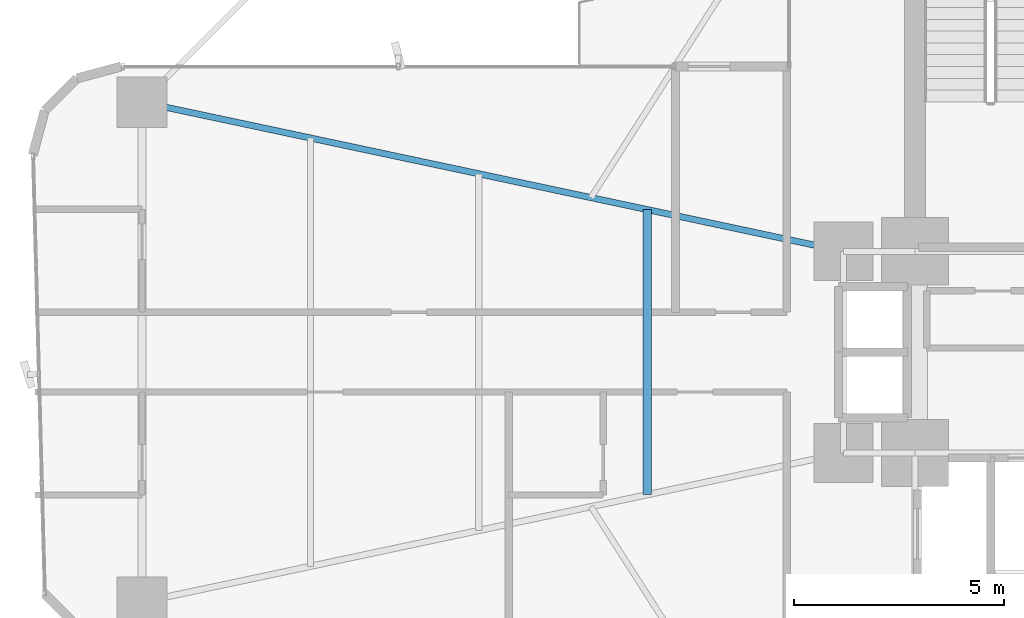
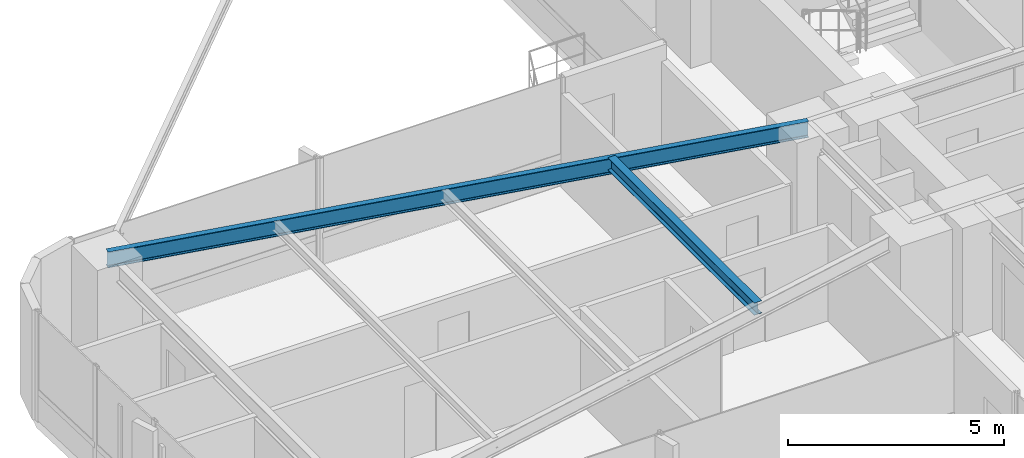
# One storey, part 9 of 25: 2 beams.
"""IFC4 building model written with IfcOpenShell, lengths in metres."""

from ifc_helpers import new_model, si_unit, direction, frame, origin, origin_2d, place, context, subcontext, project, spatial, i_section, extrude, source, transform, mapped, material, material_profile, profile_set, type_object, element, save


model = new_model("IFC4")

# Units and contexts
model_context = context("Model", 3, precision=1e-05, world=origin(), true_north=direction((0.0, 1.0)))
body_context = subcontext(model_context, "Body", "Model", "MODEL_VIEW")
ifc_project = project(units=[si_unit("LENGTHUNIT", "METRE"), si_unit("AREAUNIT", "SQUARE_METRE"), si_unit("VOLUMEUNIT", "CUBIC_METRE"), si_unit("PLANEANGLEUNIT", "RADIAN"), si_unit("MASSUNIT", "GRAM", prefix="KILO")], contexts=[model_context])

# Site, building, storey
site_placement = place(None, origin())
site = spatial("IfcSite", under=ifc_project, at=site_placement, CompositionType="ELEMENT")
building_placement = place(site_placement, origin())
building = spatial("IfcBuilding", under=site, at=building_placement, Name="Sahyath Konkavel Grand Hotel", CompositionType="ELEMENT")
storey_placement = place(building_placement, frame((0.0, 0.0, 54.39990234375)))
storey = spatial("IfcBuildingStorey", under=building, at=storey_placement, Name="L14", CompositionType="ELEMENT", Elevation=54.39990234375)

# Beams
ifc_material = material(Name="Steel E350", Category="steel")
ifc_material_profile_1 = material_profile(ifc_material, i_section(OverallWidth=0.14990234375, OverallDepth=0.449951171875, WebThickness=0.009521484375, FlangeThickness=0.017333984375, FilletRadius=0.014892578125, at=origin_2d()), Name="ISMB 450")
ifc_profile_set_1 = profile_set([ifc_material_profile_1], Name="Steel E350")
beam_type_1 = type_object("IfcBeamType", Name="BM-ISMB450", PredefinedType="BEAM", material=ifc_profile_set_1)
shared_shape_1 = source(origin(), body_context, "Body", "SweptSolid", [
    extrude(i_section(OverallWidth=0.14990234375, OverallDepth=0.449951171875, WebThickness=0.009521484375, FlangeThickness=0.017333984375, FilletRadius=0.014892578125, at=origin_2d()), origin(), (0.0, 0.0, 1.0), 17.072998046875),
])
beam_1_placement = place(storey_placement, frame((-5.5, 2.39990234375, 2.885009765625), z_axis=(-0.978143257225, 0.20793212437, 0.0), x_axis=(-0.20793212437, -0.978143257225, 0.0)))
element("IfcBeam", 1, at=beam_1_placement, inside=storey, type_object=beam_type_1, Name="L14 Cruciform Radial Girder WA", PredefinedType="BEAM", context=body_context, shape_type="MappedRepresentation", body=[
    mapped(shared_shape_1, transform((0.0, 0.0, 0.0), scale=1.0)),
])
ifc_material_profile_2 = material_profile(ifc_material, i_section(OverallWidth=0.199951171875, OverallDepth=0.35009765625, WebThickness=0.008056640625, FlangeThickness=0.011474609375, FilletRadius=0.013916015625, at=origin_2d()), Name="ISWB 350")
ifc_profile_set_2 = profile_set([ifc_material_profile_2], Name="Steel E350")
beam_type_2 = type_object("IfcBeamType", Name="BM-ISWB350", PredefinedType="BEAM", material=ifc_profile_set_2)
shared_shape_2 = source(origin(), body_context, "Body", "SweptSolid", [
    extrude(i_section(OverallWidth=0.199951171875, OverallDepth=0.35009765625, WebThickness=0.008056640625, FlangeThickness=0.011474609375, FilletRadius=0.013916015625, at=origin_2d()), origin(), (0.0, 0.0, 1.0), 6.7880859375),
])
beam_2_placement = place(storey_placement, frame((-10.176025390625, 3.39404296875, 2.93505859375), z_axis=(0.0, -1.0, 0.0), x_axis=(1.0, 0.0, 0.0)))
element("IfcBeam", 2, at=beam_2_placement, inside=storey, type_object=beam_type_2, Name="L14 Secondary Floor Beam W-1", PredefinedType="BEAM", context=body_context, shape_type="MappedRepresentation", body=[
    mapped(shared_shape_2, transform((0.0, 0.0, 0.0), scale=1.0)),
])

save(model, "model.ifc")
